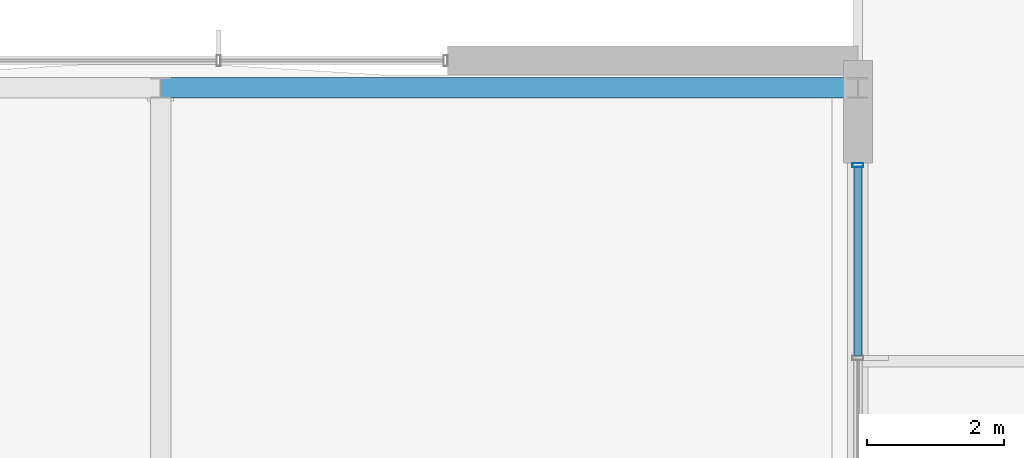
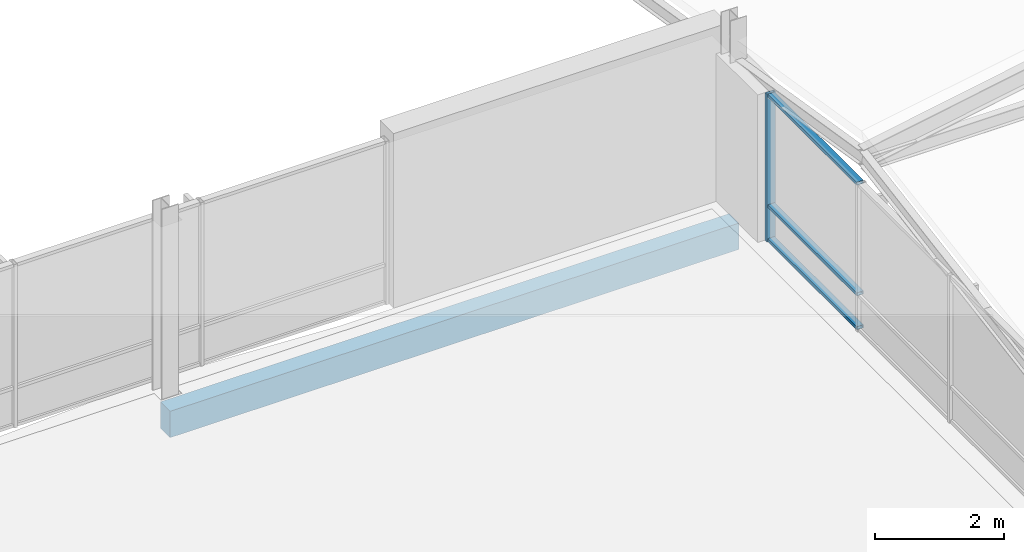
# One storey, part 41 of 189: 4 members, 1 beam, 1 element without a shape of its own.
"""IFC4 building model written with IfcOpenShell, lengths in metres."""

from ifc_helpers import new_model, si_unit, direction, frame, origin, origin_2d, place, context, subcontext, project, spatial, rectangle, hollow_rectangle, extrude, material, material_profile, profile_set, type_object, element, aggregate, save


model = new_model("IFC4")

# Units and contexts
model_context = context("Model", 3, precision=1e-05, world=origin(), true_north=direction((0.0, 1.0)))
body_context = subcontext(model_context, "Body", "Model", "MODEL_VIEW")
ifc_project = project(units=[si_unit("LENGTHUNIT", "METRE"), si_unit("AREAUNIT", "SQUARE_METRE"), si_unit("VOLUMEUNIT", "CUBIC_METRE"), si_unit("PLANEANGLEUNIT", "RADIAN"), si_unit("MASSUNIT", "GRAM", prefix="KILO")], contexts=[model_context])

# Site, building, storey
site_placement = place(None, origin())
site = spatial("IfcSite", under=ifc_project, at=site_placement, CompositionType="ELEMENT")
building_placement = place(site_placement, origin())
building = spatial("IfcBuilding", under=site, at=building_placement, Name="Zavelmont Quarter", CompositionType="ELEMENT")
storey_placement = place(building_placement, frame((0.0, 0.0, 4.39990234375)))
storey = spatial("IfcBuildingStorey", under=building, at=storey_placement, Name="L01", CompositionType="ELEMENT", Elevation=4.39990234375)

# Beam
ifc_material_1 = material(Name="Concrete C35/45", Category="concrete")
ifc_material_profile_1 = material_profile(ifc_material_1, rectangle(XDim=0.300048828125, YDim=0.5, at=origin_2d()), Name="RC300X500")
ifc_profile_set_1 = profile_set([ifc_material_profile_1], Name="Concrete C35/45")
beam_type = type_object("IfcBeamType", Name="BM03", PredefinedType="BEAM", material=ifc_profile_set_1)
beam_placement = place(storey_placement, frame((65.800048828125, 14.0, -0.52978515625), z_axis=(1.0, 0.0, 0.0), x_axis=(0.0, 1.0, 0.0)))
element("IfcBeam", 1, at=beam_placement, inside=storey, type_object=beam_type, Name="L01 beam BM03 10/C to 12/C", PredefinedType="BEAM", context=body_context, shape_type="SweptSolid", body=[
    extrude(rectangle(XDim=0.300048828125, YDim=0.5, at=origin_2d()), origin(), (0.0, 0.0, 1.0), 10.199951171875),
])

# Curtain wall, members
ifc_material_2 = material(Name="Thermally broken aluminium and double low-E safety glazing", Category="aluminium")
curtain_wall_type = type_object("IfcCurtainWallType", Name="CW-1140X280", PredefinedType="NOTDEFINED", material=ifc_material_2)
curtain_wall_placement = place(storey_placement, origin())
curtain_wall = element("IfcCurtainWall", 2, at=curtain_wall_placement, inside=storey, type_object=curtain_wall_type, Name="L01 unitised curtain wall CW-1140X280", PredefinedType="NOTDEFINED")
ifc_material_3 = material(Name="Powder-coated aluminium EN AW-6063-T6", Category="aluminium")
ifc_material_profile_2 = material_profile(ifc_material_3, hollow_rectangle(XDim=0.06005859375, YDim=0.159912109375, WallThickness=0.00390625, at=origin_2d()), Name="CWM60X160")
ifc_profile_set_2 = profile_set([ifc_material_profile_2], Name="Powder-coated aluminium EN AW-6063-T6")
member_type_1 = type_object("IfcMemberType", Name="CWM01", PredefinedType="MULLION", material=ifc_profile_set_2)
member_1_placement = place(storey_placement, frame((76.0, 12.8701171875, 0.0), z_axis=(0.0, 0.0, 1.0), x_axis=(0.0, 1.0, 0.0)))
member_1 = element("IfcMember", 3, at=member_1_placement, type_object=member_type_1, Name="CW-1140X280 mullion 5", PredefinedType="MULLION", context=body_context, shape_type="SweptSolid", body=[
    extrude(hollow_rectangle(XDim=0.06005859375, YDim=0.159912109375, WallThickness=0.00390625, at=origin_2d()), origin(), (0.0, 0.0, 1.0), 2.800048828125),
])
ifc_material_profile_3 = material_profile(ifc_material_3, hollow_rectangle(XDim=0.1201171875, YDim=0.06005859375, WallThickness=0.00390625, at=origin_2d()), Name="CWT60X120")
ifc_profile_set_3 = profile_set([ifc_material_profile_3], Name="Powder-coated aluminium EN AW-6063-T6")
member_type_2 = type_object("IfcMemberType", Name="CWT01", PredefinedType="NOTDEFINED", material=ifc_profile_set_3)
member_2_placement = place(storey_placement, frame((76.0, 10.080078125, 0.030029296875), z_axis=(0.0, 1.0, 0.0), x_axis=(-1.0, 0.0, 0.0)))
member_2 = element("IfcMember", 4, at=member_2_placement, type_object=member_type_2, Name="CW-1140X280 transom 4.1", ObjectType="TRANSOM", PredefinedType="USERDEFINED", context=body_context, shape_type="SweptSolid", body=[
    extrude(hollow_rectangle(XDim=0.1201171875, YDim=0.06005859375, WallThickness=0.00390625, at=origin_2d()), origin(), (0.0, 0.0, 1.0), 2.760009765625),
])
member_3_placement = place(storey_placement, frame((76.0, 10.080078125, 0.672119140625), z_axis=(0.0, 1.0, 0.0), x_axis=(-1.0, 0.0, 0.0)))
member_3 = element("IfcMember", 5, at=member_3_placement, type_object=member_type_2, Name="CW-1140X280 transom 4.2", ObjectType="TRANSOM", PredefinedType="USERDEFINED", context=body_context, shape_type="SweptSolid", body=[
    extrude(hollow_rectangle(XDim=0.1201171875, YDim=0.06005859375, WallThickness=0.00390625, at=origin_2d()), origin(), (0.0, 0.0, 1.0), 2.760009765625),
])
member_4_placement = place(storey_placement, frame((76.0, 10.080078125, 2.77001953125), z_axis=(0.0, 1.0, 0.0), x_axis=(-1.0, 0.0, 0.0)))
member_4 = element("IfcMember", 6, at=member_4_placement, type_object=member_type_2, Name="CW-1140X280 transom 4.3", ObjectType="TRANSOM", PredefinedType="USERDEFINED", context=body_context, shape_type="SweptSolid", body=[
    extrude(hollow_rectangle(XDim=0.1201171875, YDim=0.06005859375, WallThickness=0.00390625, at=origin_2d()), origin(), (0.0, 0.0, 1.0), 2.760009765625),
])
aggregate(curtain_wall, [member_1, member_2, member_3, member_4])

save(model, "model.ifc")
